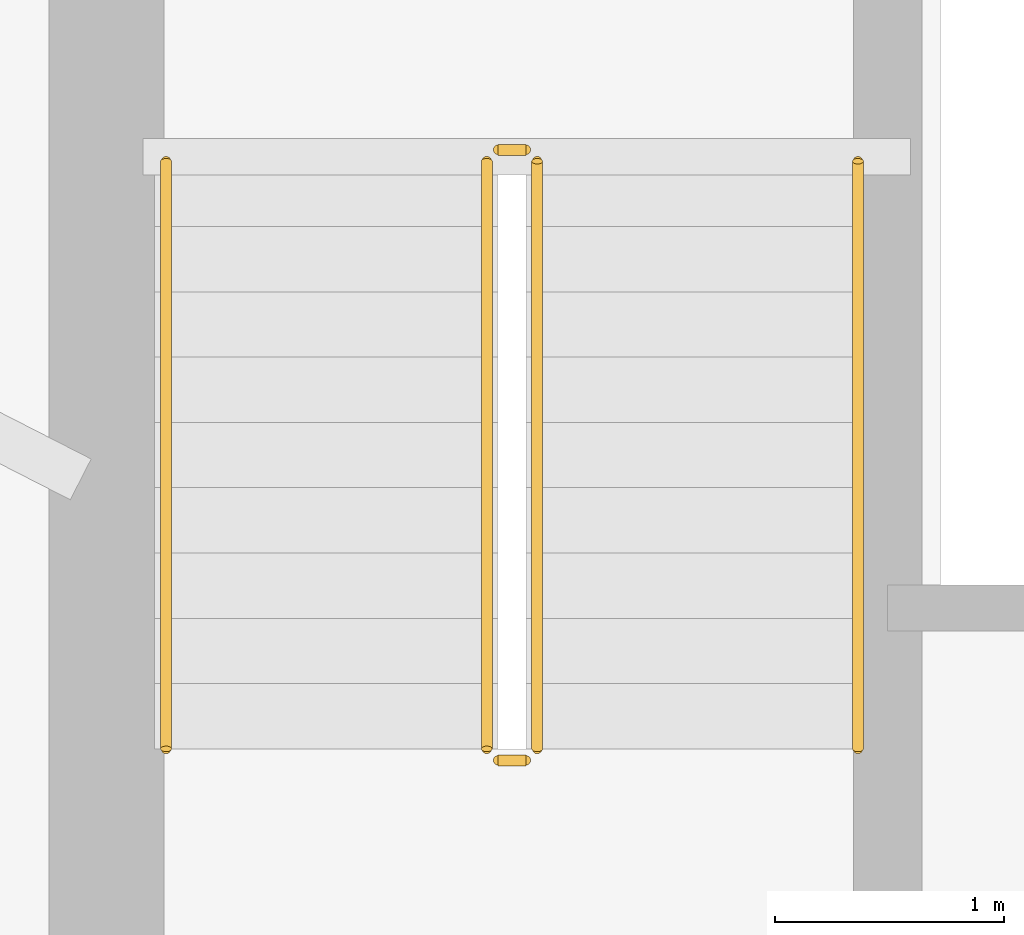
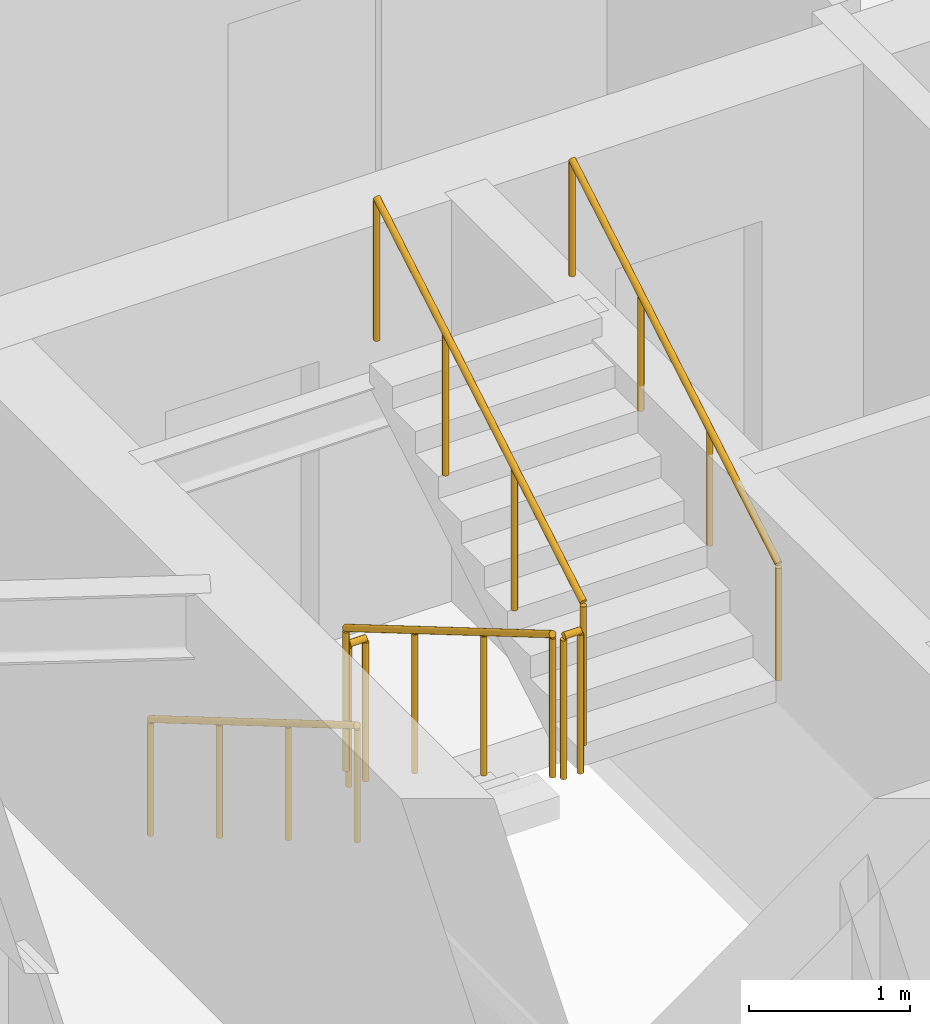
# One storey, part 17 of 18: 6 railings.
"""IFC4 building model written with IfcOpenShell, lengths in metres."""

from ifc_helpers import new_model, si_unit, direction, frame, origin, origin_2d, place, context, subcontext, project, spatial, circle, extrude, material, type_object, element, save


model = new_model("IFC4")

# Units and contexts
model_context = context("Model", 3, precision=1e-05, world=origin(), true_north=direction((0.0, 1.0)))
body_context = subcontext(model_context, "Body", "Model", "MODEL_VIEW")
ifc_project = project(units=[si_unit("LENGTHUNIT", "METRE"), si_unit("AREAUNIT", "SQUARE_METRE"), si_unit("VOLUMEUNIT", "CUBIC_METRE"), si_unit("PLANEANGLEUNIT", "RADIAN"), si_unit("MASSUNIT", "GRAM", prefix="KILO")], contexts=[model_context])

# Site, building, storey
site_placement = place(None, origin())
site = spatial("IfcSite", under=ifc_project, at=site_placement, CompositionType="ELEMENT")
building_placement = place(site_placement, origin())
building = spatial("IfcBuilding", under=site, at=building_placement, Name="Qobustan Lattice House", CompositionType="ELEMENT")
storey_placement = place(building_placement, frame((0.0, 0.0, 147.75)))
storey = spatial("IfcBuildingStorey", under=building, at=storey_placement, Name="L41", CompositionType="ELEMENT", Elevation=147.75)

# Railings
ifc_material_1 = material(Name="Brushed stainless steel handrail", Category="steel")
railing_type_1 = type_object("IfcRailingType", Name="RAL-HR-920", PredefinedType="HANDRAIL", material=ifc_material_1)
railing_1_placement = place(storey_placement, frame((-18.199951171875, 3.5, 0.16748046875)))
element("IfcRailing", 1, at=railing_1_placement, inside=storey, type_object=railing_type_1, Name="L41 ST-W1 stair handrail 1", PredefinedType="HANDRAIL", context=body_context, shape_type="SweptSolid", body=[
    extrude(circle(Radius=0.02392578125, at=origin_2d()), frame((0.0, 0.0, 0.8759765625), z_axis=(0.0, -0.862113467892, 0.50671527358), x_axis=(1.0, 0.0, 0.0)), (0.0, 0.0, 1.0), 2.97509765625),
    extrude(circle(Radius=0.02099609375, at=origin_2d()), origin(), (0.0, 0.0, 1.0), 0.851806640625),
    extrude(circle(Radius=0.02099609375, at=origin_2d()), frame((0.0, -0.85498046875, 0.50244140625)), (0.0, 0.0, 1.0), 0.851806640625),
    extrude(circle(Radius=0.02099609375, at=origin_2d()), frame((0.0, -1.7099609375, 1.005126953125)), (0.0, 0.0, 1.0), 0.851806640625),
    extrude(circle(Radius=0.02099609375, at=origin_2d()), frame((0.0, -2.56494140625, 1.507568359375)), (0.0, 0.0, 1.0), 0.851806640625),
])
railing_2_placement = place(storey_placement, frame((-15.179931640625, 0.93505859375, 1.842529296875)))
element("IfcRailing", 2, at=railing_2_placement, inside=storey, type_object=railing_type_1, Name="L41 ST-W1 stair handrail 2", PredefinedType="HANDRAIL", context=body_context, shape_type="SweptSolid", body=[
    extrude(circle(Radius=0.02392578125, at=origin_2d()), frame((0.0, 0.0, 0.8759765625), z_axis=(0.0, 0.862113467892, 0.50671527358), x_axis=(-1.0, 0.0, 0.0)), (0.0, 0.0, 1.0), 2.97509765625),
    extrude(circle(Radius=0.02099609375, at=origin_2d()), origin(), (0.0, 0.0, 1.0), 0.851806640625),
    extrude(circle(Radius=0.02099609375, at=origin_2d()), frame((0.0, 0.85498046875, 0.50244140625)), (0.0, 0.0, 1.0), 0.851806640625),
    extrude(circle(Radius=0.02099609375, at=origin_2d()), frame((0.0, 1.7099609375, 1.005126953125)), (0.0, 0.0, 1.0), 0.851806640625),
    extrude(circle(Radius=0.02099609375, at=origin_2d()), frame((0.0, 2.56494140625, 1.507568359375)), (0.0, 0.0, 1.0), 0.851806640625),
])
ifc_material_2 = material(Name="Painted galvanized steel guardrail", Category="steel")
railing_type_2 = type_object("IfcRailingType", Name="RAL-STG-1150", PredefinedType="GUARDRAIL", material=ifc_material_2)
railing_3_placement = place(storey_placement, frame((-16.800048828125, 3.5, 0.16748046875)))
element("IfcRailing", 3, at=railing_3_placement, inside=storey, type_object=railing_type_2, Name="L41 ST-W1 stair guard 1", PredefinedType="GUARDRAIL", context=body_context, shape_type="SweptSolid", body=[
    extrude(circle(Radius=0.02392578125, at=origin_2d()), frame((0.0, 0.0, 1.076171875), z_axis=(0.0, -0.862113467892, 0.50671527358), x_axis=(1.0, 0.0, 0.0)), (0.0, 0.0, 1.0), 2.97509765625),
    extrude(circle(Radius=0.02099609375, at=origin_2d()), origin(), (0.0, 0.0, 1.0), 1.052001953125),
    extrude(circle(Radius=0.02099609375, at=origin_2d()), frame((0.0, -0.85498046875, 0.50244140625)), (0.0, 0.0, 1.0), 1.052001953125),
    extrude(circle(Radius=0.02099609375, at=origin_2d()), frame((0.0, -1.7099609375, 1.005126953125)), (0.0, 0.0, 1.0), 1.052001953125),
    extrude(circle(Radius=0.02099609375, at=origin_2d()), frame((0.0, -2.56494140625, 1.507568359375)), (0.0, 0.0, 1.0), 1.052001953125),
])
railing_4_placement = place(storey_placement, frame((-16.75, 0.885009765625, 1.675048828125)))
element("IfcRailing", 4, at=railing_4_placement, inside=storey, type_object=railing_type_2, Name="L41 ST-W1 stair guard 2", PredefinedType="GUARDRAIL", context=body_context, shape_type="SweptSolid", body=[
    extrude(circle(Radius=0.02392578125, at=origin_2d()), frame((0.0, 0.0, 1.076171875), z_axis=(1.0, 0.0, 0.0), x_axis=(0.0, 1.0, 0.0)), (0.0, 0.0, 1.0), 0.1201171875),
    extrude(circle(Radius=0.02099609375, at=origin_2d()), origin(), (0.0, 0.0, 1.0), 1.052001953125),
    extrude(circle(Radius=0.02099609375, at=origin_2d()), frame((0.1201171875, 0.0, 0.0)), (0.0, 0.0, 1.0), 1.052001953125),
])
railing_5_placement = place(storey_placement, frame((-16.580078125, 0.93505859375, 1.842529296875)))
element("IfcRailing", 5, at=railing_5_placement, inside=storey, type_object=railing_type_2, Name="L41 ST-W1 stair guard 3", PredefinedType="GUARDRAIL", context=body_context, shape_type="SweptSolid", body=[
    extrude(circle(Radius=0.02392578125, at=origin_2d()), frame((0.0, 0.0, 1.076171875), z_axis=(0.0, 0.862113467892, 0.50671527358), x_axis=(-1.0, 0.0, 0.0)), (0.0, 0.0, 1.0), 2.97509765625),
    extrude(circle(Radius=0.02099609375, at=origin_2d()), origin(), (0.0, 0.0, 1.0), 1.052001953125),
    extrude(circle(Radius=0.02099609375, at=origin_2d()), frame((0.0, 0.85498046875, 0.50244140625)), (0.0, 0.0, 1.0), 1.052001953125),
    extrude(circle(Radius=0.02099609375, at=origin_2d()), frame((0.0, 1.7099609375, 1.005126953125)), (0.0, 0.0, 1.0), 1.052001953125),
    extrude(circle(Radius=0.02099609375, at=origin_2d()), frame((0.0, 2.56494140625, 1.507568359375)), (0.0, 0.0, 1.0), 1.052001953125),
])
railing_6_placement = place(storey_placement, frame((-16.75, 3.550048828125, 0.0)))
element("IfcRailing", 6, at=railing_6_placement, inside=storey, type_object=railing_type_2, Name="L41 ST-W1 stair guard 4", PredefinedType="GUARDRAIL", context=body_context, shape_type="SweptSolid", body=[
    extrude(circle(Radius=0.02392578125, at=origin_2d()), frame((0.0, 0.0, 1.076171875), z_axis=(1.0, 0.0, 0.0), x_axis=(0.0, 1.0, 0.0)), (0.0, 0.0, 1.0), 0.1201171875),
    extrude(circle(Radius=0.02099609375, at=origin_2d()), origin(), (0.0, 0.0, 1.0), 1.052001953125),
    extrude(circle(Radius=0.02099609375, at=origin_2d()), frame((0.1201171875, 0.0, 0.0)), (0.0, 0.0, 1.0), 1.052001953125),
])

save(model, "model.ifc")
